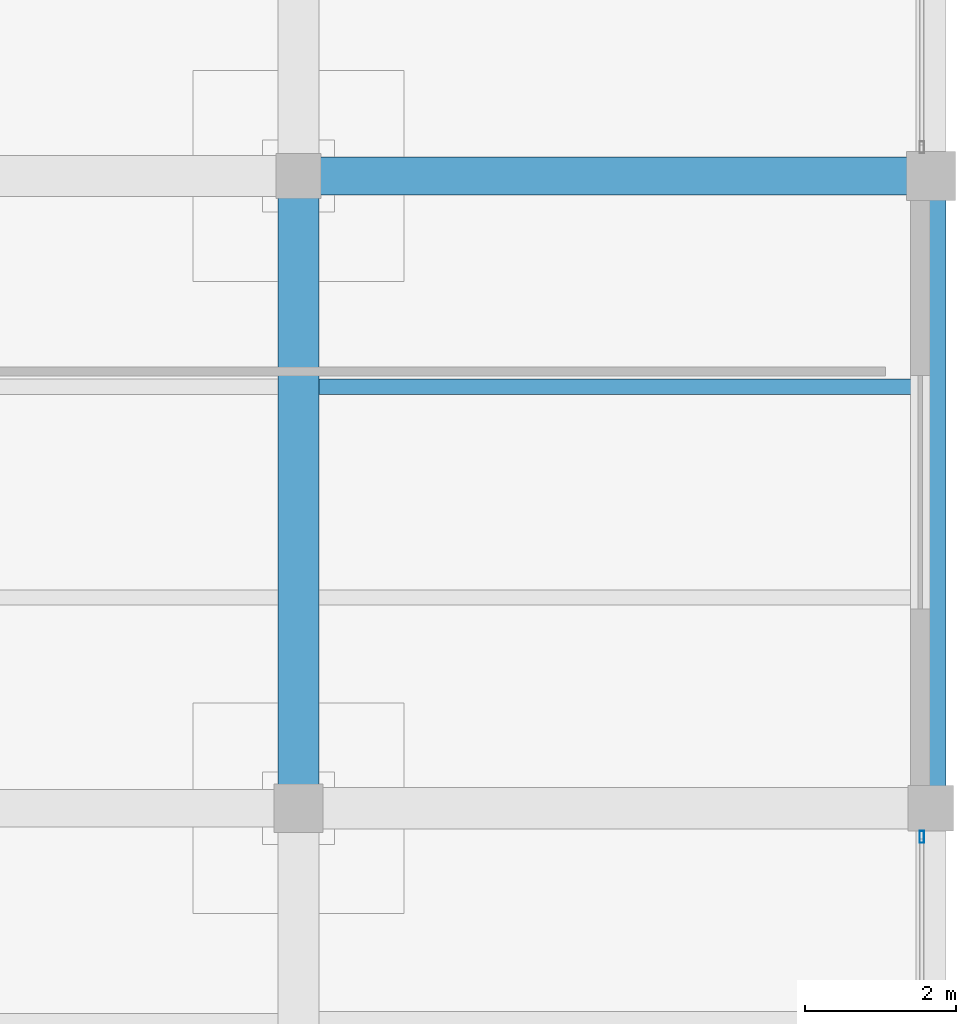
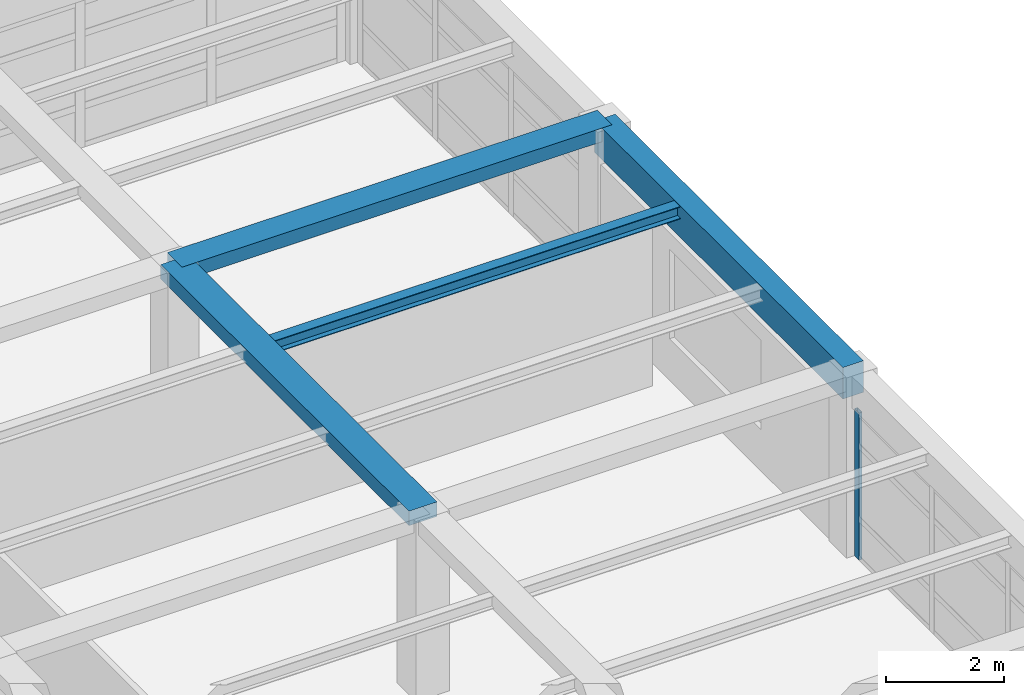
# One storey, part 15 of 26: 4 beams, 1 member, 1 element without a shape of its own.
"""IFC4 building model written with IfcOpenShell, lengths in metres."""

import ifcopenshell
import ifcopenshell.guid

model = None  # the IFC model being written
_history = None  # IfcOwnerHistory: only IFC2X3 demands one
_inside = {}  # id of a spatial element -> (the spatial element, [elements in it])
_under = {}  # id of a project, library or spatial element -> (it, [spatial elements below it])
_declared = {}  # id of a project -> (the project, [libraries it declares])
_typed = {}  # id of a type object -> (the type object, [elements of that type])
_made_of = {}  # id of a material, layer set ... -> (it, [elements and type objects made of it])


def new_model(schema):
    """Start an empty IFC model of exactly this schema.

    Asked for "IFC4X3", IfcOpenShell would pick the latest addendum, in which some entities
    have other attributes; the version numbers below select the first issue.
    IFC2X3 requires an IfcOwnerHistory on every rooted entity: one is made here for all.
    """
    global model, _history
    if schema == "IFC4X3":
        model = ifcopenshell.file(schema_version=(4, 3, 0, 0))
    else:
        model = ifcopenshell.file(schema=schema)
    _inside.clear()
    _under.clear()
    _declared.clear()
    _typed.clear()
    _made_of.clear()
    _history = None
    if model.schema == "IFC2X3":
        org = make("IfcOrganization", Name="unknown")
        user = make(
            "IfcPersonAndOrganization",
            ThePerson=make("IfcPerson", FamilyName="unknown"),
            TheOrganization=org,
        )
        app = make(
            "IfcApplication",
            ApplicationDeveloper=org,
            Version="unknown",
            ApplicationFullName="unknown",
            ApplicationIdentifier="unknown",
        )
        _history = make(
            "IfcOwnerHistory",
            OwningUser=user,
            OwningApplication=app,
            ChangeAction="ADDED",
            CreationDate=0,
        )
    return model


def make(cls, **values):
    """One entity of the class cls with the attributes given. An attribute that is None is left unset."""
    return model.create_entity(
        cls, **{name: value for name, value in values.items() if value is not None}
    )


def rooted(cls, **values):
    """An entity with a GlobalId (a new one), such as an element, a storey or a relation."""
    return make(cls, GlobalId=ifcopenshell.guid.new(), OwnerHistory=_history, **values)


def si_unit(unit_type, name, prefix=None):
    """IfcSIUnit, for example si_unit("LENGTHUNIT", "METRE", prefix="MILLI")."""
    return make("IfcSIUnit", UnitType=unit_type, Prefix=prefix, Name=name)


def assignment(units):
    """IfcUnitAssignment: the units of a project."""
    return None if units is None else make("IfcUnitAssignment", Units=units)


def point(xyz):
    """IfcCartesianPoint."""
    return None if xyz is None else make("IfcCartesianPoint", Coordinates=xyz)


def direction(xyz):
    """IfcDirection."""
    return None if xyz is None else make("IfcDirection", DirectionRatios=xyz)


def frame(location, z_axis=None, x_axis=None):
    """IfcAxis2Placement3D, a coordinate frame: its origin and axes. An axis left out is left unset."""
    return make(
        "IfcAxis2Placement3D",
        Location=point(location),
        Axis=direction(z_axis),
        RefDirection=direction(x_axis),
    )


def frame_2d(location, x_axis=None):
    """IfcAxis2Placement2D, a coordinate frame in the plane: its origin and x axis."""
    return make(
        "IfcAxis2Placement2D", Location=point(location), RefDirection=direction(x_axis)
    )


def origin():
    """The frame at (0, 0, 0) with its axes left unset."""
    return frame((0.0, 0.0, 0.0))


def origin_2d():
    """The frame at (0, 0) in the plane with its x axis left unset."""
    return frame_2d((0.0, 0.0))


def place(relative_to, where):
    """IfcLocalPlacement: puts the frame where relative to a parent placement (None: the world)."""
    return make(
        "IfcLocalPlacement", PlacementRelTo=relative_to, RelativePlacement=where
    )


def context(
    kind, dimensions, precision=None, world=None, true_north=None, identifier=None
):
    """IfcGeometricRepresentationContext, for example the 3D "Model" context."""
    return make(
        "IfcGeometricRepresentationContext",
        ContextIdentifier=identifier,
        ContextType=kind,
        CoordinateSpaceDimension=dimensions,
        Precision=precision,
        WorldCoordinateSystem=world,
        TrueNorth=true_north,
    )


def subcontext(parent, identifier, kind, view, scale=None):
    """IfcGeometricRepresentationSubContext, for example "Body" below "Model"."""
    return make(
        "IfcGeometricRepresentationSubContext",
        ContextIdentifier=identifier,
        ContextType=kind,
        ParentContext=parent,
        TargetScale=scale,
        TargetView=view,
    )


def project(units=None, contexts=None):
    """IfcProject with its units and contexts."""
    return rooted(
        "IfcProject",
        Name="project",
        RepresentationContexts=contexts,
        UnitsInContext=assignment(units),
    )


def spatial(cls, under=None, at=None, **own):
    """A site, building, storey or space (cls), placed at a placement, below another one or the project."""
    s = rooted(cls, ObjectPlacement=at, **own)
    if under is not None:
        _under.setdefault(under.id(), (under, []))[1].append(s)
    return s


def profile(cls, at=None, kind="AREA", **sizes):
    """A parametric profile (cls). Its sizes go by their IFC names, for example OverallWidth=200.0."""
    return make(cls, ProfileType=kind, Position=at, **sizes)


def rectangle(**sizes):
    """IfcRectangleProfileDef."""
    return profile("IfcRectangleProfileDef", **sizes)


def hollow_rectangle(**sizes):
    """IfcRectangleHollowProfileDef."""
    return profile("IfcRectangleHollowProfileDef", **sizes)


def i_section(**sizes):
    """IfcIShapeProfileDef."""
    return profile("IfcIShapeProfileDef", **sizes)


def extrude(swept, where, along, depth):
    """IfcExtrudedAreaSolid: the profile swept, set in the frame where, extruded along a direction by depth."""
    return make(
        "IfcExtrudedAreaSolid",
        SweptArea=swept,
        Position=where,
        ExtrudedDirection=direction(along),
        Depth=depth,
    )


def shape(context_of_items, identifier, shape_type, items):
    """IfcShapeRepresentation: the items that make up one representation, for example the "Body"."""
    return make(
        "IfcShapeRepresentation",
        ContextOfItems=context_of_items,
        RepresentationIdentifier=identifier,
        RepresentationType=shape_type,
        Items=items,
    )


def material(Name=None, Category=None):
    """IfcMaterial."""
    return make("IfcMaterial", Name=Name, Category=Category)


def material_profile(
    of_material, cross_section, Name=None, Category=None, Priority=None
):
    """IfcMaterialProfile: a cross section and its material."""
    return make(
        "IfcMaterialProfile",
        Name=Name,
        Material=of_material,
        Profile=cross_section,
        Priority=Priority,
        Category=Category,
    )


def profile_set(profiles, Name=None, composite=None):
    """IfcMaterialProfileSet."""
    return make(
        "IfcMaterialProfileSet",
        Name=Name,
        MaterialProfiles=profiles,
        CompositeProfile=composite,
    )


def made_of(thing, what):
    """Note that an element or type object is made of a material, layer set ...; save() writes the relation."""
    if what is not None:
        _made_of.setdefault(what.id(), (what, []))[1].append(thing)
    return thing


def type_object(cls, material=None, **own):
    """A type object (cls), such as IfcWallType, which elements share."""
    return made_of(rooted(cls, **own), material)


def element(
    cls,
    number,
    at=None,
    inside=None,
    cuts=None,
    type_object=None,
    material=None,
    context=None,
    identifier="Body",
    shape_type=None,
    held_by="IfcProductDefinitionShape",
    body=None,
    shapes=None,
    **own,
):
    """One element of the class cls, such as IfcWall. Its Tag is "e" and its number.

    at: its placement. inside: the storey or other place that contains it. cuts: it is an
    opening in that element (IfcRelVoidsElement). A single representation is given by context,
    identifier, shape_type and body (its items); several are given by shapes. held_by: the class
    of the entity that holds the representations. save() writes the other relations.
    """
    e = rooted(cls, Tag="e%d" % number, ObjectPlacement=at, **own)
    if body is not None:
        shapes = [shape(context, identifier, shape_type, body)]
    if shapes is not None:
        e.Representation = make(held_by, Representations=shapes)
    if inside is not None:
        _inside.setdefault(inside.id(), (inside, []))[1].append(e)
    if cuts is not None:
        rooted(
            "IfcRelVoidsElement", RelatingBuildingElement=cuts, RelatedOpeningElement=e
        )
    if type_object is not None:
        _typed.setdefault(type_object.id(), (type_object, []))[1].append(e)
    return made_of(e, material)


def aggregate(whole, parts):
    """IfcRelAggregates: a whole, such as a stair, and the parts it consists of."""
    return rooted("IfcRelAggregates", RelatingObject=whole, RelatedObjects=parts)


def save(model, path):
    """Write the relations noted so far, then the file.

    IfcRelAggregates (storeys below a building ...), IfcRelContainedInSpatialStructure (elements
    in a storey), IfcRelDefinesByType, IfcRelAssociatesMaterial and IfcRelDeclares: one each for
    every whole, place, type object, material and project.
    """
    for whole, parts in _under.values():
        aggregate(whole, parts)
    for where, things in _inside.values():
        rooted(
            "IfcRelContainedInSpatialStructure",
            RelatedElements=things,
            RelatingStructure=where,
        )
    for kind, things in _typed.values():
        rooted("IfcRelDefinesByType", RelatedObjects=things, RelatingType=kind)
    for what, things in _made_of.values():
        rooted("IfcRelAssociatesMaterial", RelatedObjects=things, RelatingMaterial=what)
    for by, libraries in _declared.values():
        rooted("IfcRelDeclares", RelatingContext=by, RelatedDefinitions=libraries)
    model.write(path)


model = new_model("IFC4")

# Units and contexts
model_context = context("Model", 3, precision=1e-05, world=origin(), true_north=direction((0.0, 1.0)))
body_context = subcontext(model_context, "Body", "Model", "MODEL_VIEW")
ifc_project = project(units=[si_unit("LENGTHUNIT", "METRE"), si_unit("AREAUNIT", "SQUARE_METRE"), si_unit("VOLUMEUNIT", "CUBIC_METRE"), si_unit("PLANEANGLEUNIT", "RADIAN"), si_unit("MASSUNIT", "GRAM", prefix="KILO")], contexts=[model_context])

# Site, building, storey
site_placement = place(None, origin())
site = spatial("IfcSite", under=ifc_project, at=site_placement, CompositionType="ELEMENT")
building_placement = place(site_placement, origin())
building = spatial("IfcBuilding", under=site, at=building_placement, Name="Almacenes y Pasaje Nevantli", CompositionType="ELEMENT")
storey_placement = place(building_placement, frame((0.0, 0.0, 46.699951171875)))
storey = spatial("IfcBuildingStorey", under=building, at=storey_placement, Name="L11", CompositionType="ELEMENT", Elevation=46.699951171875)

# Beams
ifc_material_1 = material(Name="Concrete C35/45", Category="concrete")
ifc_material_profile_1 = material_profile(ifc_material_1, rectangle(XDim=0.39990234375, YDim=0.64990234375, at=origin_2d()), Name="RC-BM-400x650")
ifc_profile_set_1 = profile_set([ifc_material_profile_1], Name="Concrete C35/45")
beam_type_1 = type_object("IfcBeamType", Name="BM-RC-400x650", PredefinedType="SPANDREL", material=ifc_profile_set_1)
beam_1_placement = place(storey_placement, frame((159.60009765625, 84.0, 3.39501953125), z_axis=(0.0, 1.0, 0.0), x_axis=(-1.0, 0.0, 0.0)))
element("IfcBeam", 1, at=beam_1_placement, inside=storey, type_object=beam_type_1, Name="L11 North-South Reinforced Concrete Beam #3889", PredefinedType="SPANDREL", context=body_context, shape_type="SweptSolid", body=[
    extrude(rectangle(XDim=0.39990234375, YDim=0.64990234375, at=origin_2d()), origin(), (0.0, 0.0, 1.0), 8.39990234375),
])
ifc_material_2 = material(Name="Concrete C35/45", Category="concrete")
ifc_material_profile_2 = material_profile(ifc_material_2, rectangle(XDim=0.5, YDim=0.280029296875, at=origin_2d()), Name="RC-BM-500x280")
ifc_profile_set_2 = profile_set([ifc_material_profile_2], Name="Concrete C35/45")
beam_type_2 = type_object("IfcBeamType", Name="BM-RC-500x280", PredefinedType="BEAM", material=ifc_profile_set_2)
beam_2_placement = place(storey_placement, frame((151.199951171875, 92.39990234375, 3.580078125), z_axis=(1.0, 0.0, 0.0), x_axis=(0.0, 1.0, 0.0)))
element("IfcBeam", 2, at=beam_2_placement, inside=storey, type_object=beam_type_2, Name="L11 East-West Reinforced Concrete Beam #3863", PredefinedType="BEAM", context=body_context, shape_type="SweptSolid", body=[
    extrude(rectangle(XDim=0.5, YDim=0.280029296875, at=origin_2d()), origin(), (0.0, 0.0, 1.0), 8.400146484375),
])
ifc_material_3 = material(Name="Concrete C35/45", Category="concrete")
ifc_material_profile_3 = material_profile(ifc_material_3, rectangle(XDim=0.550048828125, YDim=0.300048828125, at=origin_2d()), Name="RC-BM-550x300")
ifc_profile_set_3 = profile_set([ifc_material_profile_3], Name="Concrete C35/45")
beam_type_3 = type_object("IfcBeamType", Name="BM-RC-550x300", PredefinedType="BEAM", material=ifc_profile_set_3)
beam_3_placement = place(storey_placement, frame((151.199951171875, 84.0, 3.570068359375), z_axis=(0.0, 1.0, 0.0), x_axis=(-1.0, 0.0, 0.0)))
element("IfcBeam", 3, at=beam_3_placement, inside=storey, type_object=beam_type_3, Name="L11 North-South Reinforced Concrete Beam #3885", PredefinedType="BEAM", context=body_context, shape_type="SweptSolid", body=[
    extrude(rectangle(XDim=0.550048828125, YDim=0.300048828125, at=origin_2d()), origin(), (0.0, 0.0, 1.0), 8.39990234375),
])
ifc_material_4 = material(Name="Steel ASTM A992", Category="steel")
ifc_material_profile_4 = material_profile(ifc_material_4, i_section(OverallWidth=0.2041015625, OverallDepth=0.258056640625, WebThickness=0.008056640625, FlangeThickness=0.013427734375, at=origin_2d()), Name="IR 254x58.0")
ifc_profile_set_4 = profile_set([ifc_material_profile_4], Name="Steel ASTM A992")
beam_type_4 = type_object("IfcBeamType", Name="BM-STL-IR-254x58p0", PredefinedType="JOIST", material=ifc_profile_set_4)
beam_4_placement = place(storey_placement, frame((151.47509765625, 89.60009765625, 3.5830078125), z_axis=(1.0, 0.0, 0.0), x_axis=(0.0, 1.0, 0.0)))
element("IfcBeam", 4, at=beam_4_placement, inside=storey, type_object=beam_type_4, Name="L11 Secondary Steel Floor Joist #1538", PredefinedType="JOIST", context=body_context, shape_type="SweptSolid", body=[
    extrude(i_section(OverallWidth=0.2041015625, OverallDepth=0.258056640625, WebThickness=0.008056640625, FlangeThickness=0.013427734375, at=origin_2d()), origin(), (0.0, 0.0, 1.0), 7.9248046875),
])

# Curtain wall, member
ifc_material_5 = material(Name="Thermally Broken Aluminium and Low-E Glass", Category="aluminium")
curtain_wall_type = type_object("IfcCurtainWallType", Name="CW-UNIT-TOWER", PredefinedType="USERDEFINED", material=ifc_material_5)
curtain_wall_placement = place(storey_placement, origin())
curtain_wall = element("IfcCurtainWall", 5, at=curtain_wall_placement, inside=storey, type_object=curtain_wall_type, Name="L11 Tower East Curtain Wall Bay 10", ObjectType="UNITIZED CURTAIN WALL", PredefinedType="USERDEFINED")
ifc_material_6 = material(Name="Thermally Broken Anodized Aluminium", Category="aluminium")
ifc_material_profile_5 = material_profile(ifc_material_6, hollow_rectangle(XDim=0.06005859375, YDim=0.159912109375, WallThickness=0.00390625, at=origin_2d()), Name="ALU-MUL-60x160")
ifc_profile_set_5 = profile_set([ifc_material_profile_5], Name="Thermally Broken Anodized Aluminium")
member_type = type_object("IfcMemberType", Name="CW-MUL-180", PredefinedType="MULLION", material=ifc_profile_set_5)
member_placement = place(storey_placement, frame((159.47998046875, 83.6201171875, 0.0), z_axis=(0.0, 0.0, 1.0), x_axis=(-1.0, 0.0, 0.0)))
member = element("IfcMember", 6, at=member_placement, type_object=member_type, Name="CW-L11-156 mullion 4", PredefinedType="MULLION", context=body_context, shape_type="SweptSolid", body=[
    extrude(hollow_rectangle(XDim=0.06005859375, YDim=0.159912109375, WallThickness=0.00390625, at=origin_2d()), origin(), (0.0, 0.0, 1.0), 3.0400390625),
])
aggregate(curtain_wall, [member])

save(model, "model.ifc")
